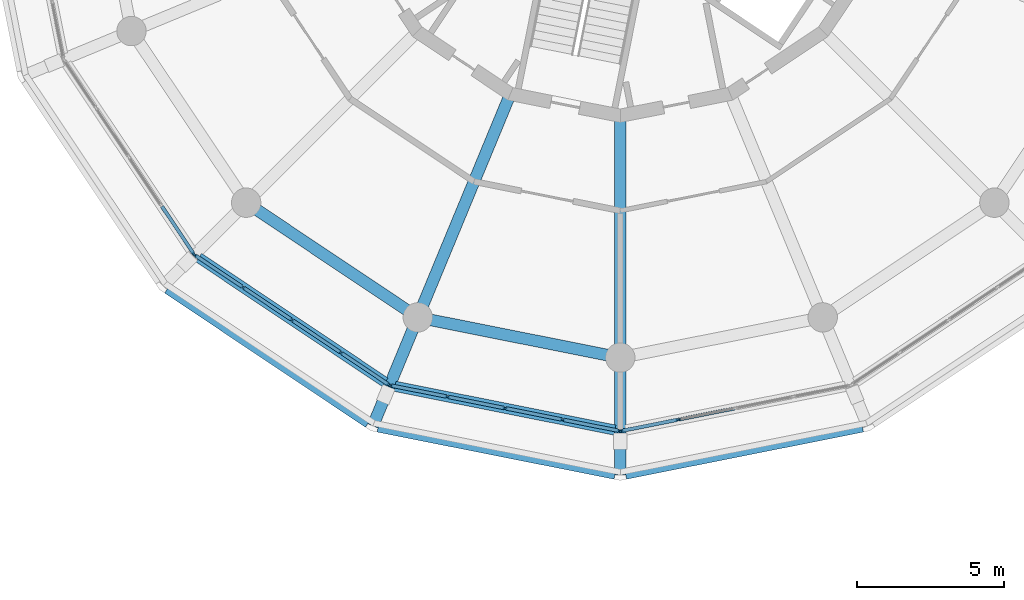
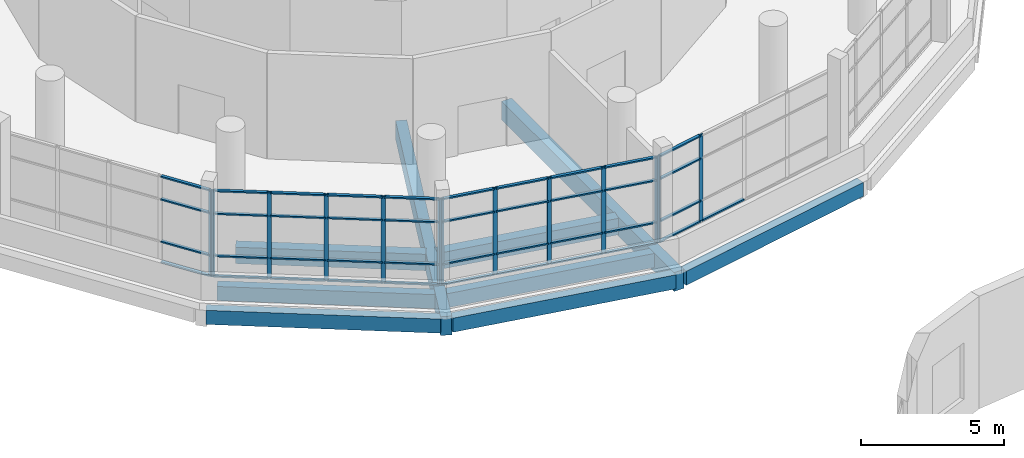
# One storey, part 4 of 40: 54 members, 9 beams, 4 elements without a shape of their own.
"""IFC4 building model written with IfcOpenShell, lengths in metres."""

from ifc_helpers import new_model, si_unit, direction, frame, origin, origin_2d, place, context, subcontext, project, spatial, rectangle, extrude, material, material_profile, profile_set, type_object, element, aggregate, save


model = new_model("IFC4")

# Units and contexts
model_context = context("Model", 3, precision=1e-05, world=origin(), true_north=direction((0.0, 1.0)))
body_context = subcontext(model_context, "Body", "Model", "MODEL_VIEW")
ifc_project = project(units=[si_unit("LENGTHUNIT", "METRE"), si_unit("AREAUNIT", "SQUARE_METRE"), si_unit("VOLUMEUNIT", "CUBIC_METRE"), si_unit("PLANEANGLEUNIT", "RADIAN"), si_unit("MASSUNIT", "GRAM", prefix="KILO")], contexts=[model_context])

# Site, building, storey
site_placement = place(None, origin())
site = spatial("IfcSite", under=ifc_project, at=site_placement, CompositionType="ELEMENT")
building_placement = place(site_placement, origin())
building = spatial("IfcBuilding", under=site, at=building_placement, Name="Ceibo Conservatory and Research Tower", CompositionType="ELEMENT")
storey_placement = place(building_placement, frame((0.0, 0.0, 6.0)))
storey = spatial("IfcBuildingStorey", under=building, at=storey_placement, Name="L01", CompositionType="ELEMENT", Elevation=6.0)

# Curtain wall, member
ifc_material_1 = material(Name="Aluminium and glass", Category="aluminium")
curtain_wall_type = type_object("IfcCurtainWallType", Name="Curtain wall CW1", PredefinedType="NOTDEFINED", material=ifc_material_1)
curtain_wall_1_placement = place(storey_placement, origin())
curtain_wall_1 = element("IfcCurtainWall", 1, at=curtain_wall_1_placement, inside=storey, type_object=curtain_wall_type, Name="CW-01.10", PredefinedType="NOTDEFINED")
ifc_material_2 = material(Name="Aluminium", Category="aluminium")
ifc_material_profile_1 = material_profile(ifc_material_2, rectangle(XDim=0.06005859375, YDim=0.159912109375, at=origin_2d()), Name="Aluminium 60 x 160")
ifc_profile_set_1 = profile_set([ifc_material_profile_1], Name="Aluminium")
member_type_1 = type_object("IfcMemberType", Name="Aluminium mullion 60 x 160", PredefinedType="MULLION", material=ifc_profile_set_1)
member_1_placement = place(storey_placement, frame((33.487548828125, 105.529296875, 0.0), z_axis=(0.0, 0.0, 1.0), x_axis=(0.831469649004, 0.555570178092, 0.0)))
member_1 = element("IfcMember", 2, at=member_1_placement, type_object=member_type_1, Name="CW-01.10 mullion 5", PredefinedType="MULLION", context=body_context, shape_type="SweptSolid", body=[
    extrude(rectangle(XDim=0.06005859375, YDim=0.159912109375, at=origin_2d()), origin(), (0.0, 0.0, 1.0), 3.699951171875),
])

# Curtain wall, members
curtain_wall_2_placement = place(storey_placement, origin())
curtain_wall_2 = element("IfcCurtainWall", 3, at=curtain_wall_2_placement, inside=storey, type_object=curtain_wall_type, Name="CW-01.11", PredefinedType="NOTDEFINED")
member_2_placement = place(storey_placement, frame((33.529296875, 105.487548828125, 0.0), z_axis=(0.0, 0.0, 1.0), x_axis=(0.555570178092, 0.831469649004, 0.0)))
member_2 = element("IfcMember", 4, at=member_2_placement, type_object=member_type_1, Name="CW-01.11 mullion 1", PredefinedType="MULLION", context=body_context, shape_type="SweptSolid", body=[
    extrude(rectangle(XDim=0.06005859375, YDim=0.159912109375, at=origin_2d()), origin(), (0.0, 0.0, 1.0), 3.699951171875),
])
member_3_placement = place(storey_placement, frame((35.1669921875, 104.393310546875, 0.0), z_axis=(0.0, 0.0, 1.0), x_axis=(0.555570178092, 0.831469649004, 0.0)))
member_3 = element("IfcMember", 5, at=member_3_placement, type_object=member_type_1, Name="CW-01.11 mullion 2", PredefinedType="MULLION", context=body_context, shape_type="SweptSolid", body=[
    extrude(rectangle(XDim=0.06005859375, YDim=0.159912109375, at=origin_2d()), origin(), (0.0, 0.0, 1.0), 3.699951171875),
])
member_4_placement = place(storey_placement, frame((36.82958984375, 103.282470703125, 0.0), z_axis=(0.0, 0.0, 1.0), x_axis=(0.555570178092, 0.831469649004, 0.0)))
member_4 = element("IfcMember", 6, at=member_4_placement, type_object=member_type_1, Name="CW-01.11 mullion 3", PredefinedType="MULLION", context=body_context, shape_type="SweptSolid", body=[
    extrude(rectangle(XDim=0.06005859375, YDim=0.159912109375, at=origin_2d()), origin(), (0.0, 0.0, 1.0), 3.699951171875),
])
member_5_placement = place(storey_placement, frame((38.492431640625, 102.17138671875, 0.0), z_axis=(0.0, 0.0, 1.0), x_axis=(0.555570178092, 0.831469649004, 0.0)))
member_5 = element("IfcMember", 7, at=member_5_placement, type_object=member_type_1, Name="CW-01.11 mullion 4", PredefinedType="MULLION", context=body_context, shape_type="SweptSolid", body=[
    extrude(rectangle(XDim=0.06005859375, YDim=0.159912109375, at=origin_2d()), origin(), (0.0, 0.0, 1.0), 3.699951171875),
])
member_6_placement = place(storey_placement, frame((40.130126953125, 101.0771484375, 0.0), z_axis=(0.0, 0.0, 1.0), x_axis=(0.555570178092, 0.831469649004, 0.0)))
member_6 = element("IfcMember", 8, at=member_6_placement, type_object=member_type_1, Name="CW-01.11 mullion 5", PredefinedType="MULLION", context=body_context, shape_type="SweptSolid", body=[
    extrude(rectangle(XDim=0.06005859375, YDim=0.159912109375, at=origin_2d()), origin(), (0.0, 0.0, 1.0), 3.699951171875),
])

curtain_wall_3_placement = place(storey_placement, origin())
curtain_wall_3 = element("IfcCurtainWall", 9, at=curtain_wall_3_placement, inside=storey, type_object=curtain_wall_type, Name="CW-01.12", PredefinedType="NOTDEFINED")
member_7_placement = place(storey_placement, frame((40.184326171875, 101.0546875, 0.0), z_axis=(0.0, 0.0, 1.0), x_axis=(0.195090380799, 0.980785268711, 0.0)))
member_7 = element("IfcMember", 10, at=member_7_placement, type_object=member_type_1, Name="CW-01.12 mullion 1", PredefinedType="MULLION", context=body_context, shape_type="SweptSolid", body=[
    extrude(rectangle(XDim=0.06005859375, YDim=0.159912109375, at=origin_2d()), origin(), (0.0, 0.0, 1.0), 3.699951171875),
])
member_8_placement = place(storey_placement, frame((42.1162109375, 100.67041015625, 0.0), z_axis=(0.0, 0.0, 1.0), x_axis=(0.195090380799, 0.980785268711, 0.0)))
member_8 = element("IfcMember", 11, at=member_8_placement, type_object=member_type_1, Name="CW-01.12 mullion 2", PredefinedType="MULLION", context=body_context, shape_type="SweptSolid", body=[
    extrude(rectangle(XDim=0.06005859375, YDim=0.159912109375, at=origin_2d()), origin(), (0.0, 0.0, 1.0), 3.699951171875),
])
member_9_placement = place(storey_placement, frame((44.077392578125, 100.2802734375, 0.0), z_axis=(0.0, 0.0, 1.0), x_axis=(0.195090380799, 0.980785268711, 0.0)))
member_9 = element("IfcMember", 12, at=member_9_placement, type_object=member_type_1, Name="CW-01.12 mullion 3", PredefinedType="MULLION", context=body_context, shape_type="SweptSolid", body=[
    extrude(rectangle(XDim=0.06005859375, YDim=0.159912109375, at=origin_2d()), origin(), (0.0, 0.0, 1.0), 3.699951171875),
])
member_10_placement = place(storey_placement, frame((46.038818359375, 99.89013671875, 0.0), z_axis=(0.0, 0.0, 1.0), x_axis=(0.195090380799, 0.980785268711, 0.0)))
member_10 = element("IfcMember", 13, at=member_10_placement, type_object=member_type_1, Name="CW-01.12 mullion 4", PredefinedType="MULLION", context=body_context, shape_type="SweptSolid", body=[
    extrude(rectangle(XDim=0.06005859375, YDim=0.159912109375, at=origin_2d()), origin(), (0.0, 0.0, 1.0), 3.699951171875),
])
member_11_placement = place(storey_placement, frame((47.970458984375, 99.505859375, 0.0), z_axis=(0.0, 0.0, 1.0), x_axis=(0.195090380799, 0.980785268711, 0.0)))
member_11 = element("IfcMember", 14, at=member_11_placement, type_object=member_type_1, Name="CW-01.12 mullion 5", PredefinedType="MULLION", context=body_context, shape_type="SweptSolid", body=[
    extrude(rectangle(XDim=0.06005859375, YDim=0.159912109375, at=origin_2d()), origin(), (0.0, 0.0, 1.0), 3.699951171875),
])

curtain_wall_4_placement = place(storey_placement, origin())
curtain_wall_4 = element("IfcCurtainWall", 15, at=curtain_wall_4_placement, inside=storey, type_object=curtain_wall_type, Name="CW-01.13", PredefinedType="NOTDEFINED")
member_12_placement = place(storey_placement, frame((48.029541015625, 99.505859375, 0.0), z_axis=(0.0, 0.0, 1.0), x_axis=(-0.195090380799, 0.980785268711, 0.0)))
member_12 = element("IfcMember", 16, at=member_12_placement, type_object=member_type_1, Name="CW-01.13 mullion 1", PredefinedType="MULLION", context=body_context, shape_type="SweptSolid", body=[
    extrude(rectangle(XDim=0.06005859375, YDim=0.159912109375, at=origin_2d()), origin(), (0.0, 0.0, 1.0), 3.699951171875),
])
member_13_placement = place(storey_placement, frame((49.961181640625, 99.89013671875, 0.0), z_axis=(0.0, 0.0, 1.0), x_axis=(-0.195090380799, 0.980785268711, 0.0)))
member_13 = element("IfcMember", 17, at=member_13_placement, type_object=member_type_1, Name="CW-01.13 mullion 2", PredefinedType="MULLION", context=body_context, shape_type="SweptSolid", body=[
    extrude(rectangle(XDim=0.06005859375, YDim=0.159912109375, at=origin_2d()), origin(), (0.0, 0.0, 1.0), 3.699951171875),
])

# Member
ifc_material_profile_2 = material_profile(ifc_material_2, rectangle(XDim=0.1201171875, YDim=0.06005859375, at=origin_2d()), Name="Aluminium 60 x 120")
ifc_profile_set_2 = profile_set([ifc_material_profile_2], Name="Aluminium")
member_type_2 = type_object("IfcMemberType", Name="Aluminium transom 60 x 120", PredefinedType="USERDEFINED", material=ifc_profile_set_2)
member_14_placement = place(storey_placement, frame((32.409912109375, 107.14208984375, 0.030029296875), z_axis=(0.555584916278, -0.831459801075, 0.0), x_axis=(0.831459801075, 0.555584916278, 0.0)))
member_14 = element("IfcMember", 18, at=member_14_placement, type_object=member_type_2, Name="CW-01.10 transom 4.1", ObjectType="TRANSOM", PredefinedType="USERDEFINED", context=body_context, shape_type="SweptSolid", body=[
    extrude(rectangle(XDim=0.1201171875, YDim=0.06005859375, at=origin_2d()), origin(), (0.0, 0.0, 1.0), 1.90966796875),
])

member_15_placement = place(storey_placement, frame((32.409912109375, 107.14208984375, 0.89990234375), z_axis=(0.555584916278, -0.831459801075, 0.0), x_axis=(0.831459801075, 0.555584916278, 0.0)))
member_15 = element("IfcMember", 19, at=member_15_placement, type_object=member_type_2, Name="CW-01.10 transom 4.2", ObjectType="TRANSOM", PredefinedType="USERDEFINED", context=body_context, shape_type="SweptSolid", body=[
    extrude(rectangle(XDim=0.1201171875, YDim=0.06005859375, at=origin_2d()), origin(), (0.0, 0.0, 1.0), 1.90966796875),
])

member_16_placement = place(storey_placement, frame((32.409912109375, 107.14208984375, 2.699951171875), z_axis=(0.555584916278, -0.831459801075, 0.0), x_axis=(0.831459801075, 0.555584916278, 0.0)))
member_16 = element("IfcMember", 20, at=member_16_placement, type_object=member_type_2, Name="CW-01.10 transom 4.3", ObjectType="TRANSOM", PredefinedType="USERDEFINED", context=body_context, shape_type="SweptSolid", body=[
    extrude(rectangle(XDim=0.1201171875, YDim=0.06005859375, at=origin_2d()), origin(), (0.0, 0.0, 1.0), 1.90966796875),
])

member_17_placement = place(storey_placement, frame((32.409912109375, 107.14208984375, 3.669921875), z_axis=(0.555584916278, -0.831459801075, 0.0), x_axis=(0.831459801075, 0.555584916278, 0.0)))
member_17 = element("IfcMember", 21, at=member_17_placement, type_object=member_type_2, Name="CW-01.10 transom 4.4", ObjectType="TRANSOM", PredefinedType="USERDEFINED", context=body_context, shape_type="SweptSolid", body=[
    extrude(rectangle(XDim=0.1201171875, YDim=0.06005859375, at=origin_2d()), origin(), (0.0, 0.0, 1.0), 1.90966796875),
])

aggregate(curtain_wall_1, [member_1, member_14, member_15, member_16, member_17])

member_18_placement = place(storey_placement, frame((33.55419921875, 105.470947265625, 0.030029296875), z_axis=(0.831459801075, -0.555584916278, 0.0), x_axis=(0.555584916278, 0.831459801075, 0.0)))
member_18 = element("IfcMember", 22, at=member_18_placement, type_object=member_type_2, Name="CW-01.11 transom 1.1", ObjectType="TRANSOM", PredefinedType="USERDEFINED", context=body_context, shape_type="SweptSolid", body=[
    extrude(rectangle(XDim=0.1201171875, YDim=0.06005859375, at=origin_2d()), origin(), (0.0, 0.0, 1.0), 1.90966796875),
])

member_19_placement = place(storey_placement, frame((33.55419921875, 105.470947265625, 0.89990234375), z_axis=(0.831459801075, -0.555584916278, 0.0), x_axis=(0.555584916278, 0.831459801075, 0.0)))
member_19 = element("IfcMember", 23, at=member_19_placement, type_object=member_type_2, Name="CW-01.11 transom 1.2", ObjectType="TRANSOM", PredefinedType="USERDEFINED", context=body_context, shape_type="SweptSolid", body=[
    extrude(rectangle(XDim=0.1201171875, YDim=0.06005859375, at=origin_2d()), origin(), (0.0, 0.0, 1.0), 1.90966796875),
])

member_20_placement = place(storey_placement, frame((33.55419921875, 105.470947265625, 2.699951171875), z_axis=(0.831459801075, -0.555584916278, 0.0), x_axis=(0.555584916278, 0.831459801075, 0.0)))
member_20 = element("IfcMember", 24, at=member_20_placement, type_object=member_type_2, Name="CW-01.11 transom 1.3", ObjectType="TRANSOM", PredefinedType="USERDEFINED", context=body_context, shape_type="SweptSolid", body=[
    extrude(rectangle(XDim=0.1201171875, YDim=0.06005859375, at=origin_2d()), origin(), (0.0, 0.0, 1.0), 1.90966796875),
])

member_21_placement = place(storey_placement, frame((33.55419921875, 105.470947265625, 3.669921875), z_axis=(0.831459801075, -0.555584916278, 0.0), x_axis=(0.555584916278, 0.831459801075, 0.0)))
member_21 = element("IfcMember", 25, at=member_21_placement, type_object=member_type_2, Name="CW-01.11 transom 1.4", ObjectType="TRANSOM", PredefinedType="USERDEFINED", context=body_context, shape_type="SweptSolid", body=[
    extrude(rectangle(XDim=0.1201171875, YDim=0.06005859375, at=origin_2d()), origin(), (0.0, 0.0, 1.0), 1.90966796875),
])

member_22_placement = place(storey_placement, frame((35.19189453125, 104.376708984375, 0.030029296875), z_axis=(0.831468919367, -0.55557127007, 0.0), x_axis=(0.55557127007, 0.831468919367, 0.0)))
member_22 = element("IfcMember", 26, at=member_22_placement, type_object=member_type_2, Name="CW-01.11 transom 2.1", ObjectType="TRANSOM", PredefinedType="USERDEFINED", context=body_context, shape_type="SweptSolid", body=[
    extrude(rectangle(XDim=0.1201171875, YDim=0.06005859375, at=origin_2d()), origin(), (0.0, 0.0, 1.0), 1.939697265625),
])

member_23_placement = place(storey_placement, frame((35.19189453125, 104.376708984375, 0.89990234375), z_axis=(0.831468919367, -0.55557127007, 0.0), x_axis=(0.55557127007, 0.831468919367, 0.0)))
member_23 = element("IfcMember", 27, at=member_23_placement, type_object=member_type_2, Name="CW-01.11 transom 2.2", ObjectType="TRANSOM", PredefinedType="USERDEFINED", context=body_context, shape_type="SweptSolid", body=[
    extrude(rectangle(XDim=0.1201171875, YDim=0.06005859375, at=origin_2d()), origin(), (0.0, 0.0, 1.0), 1.939697265625),
])

member_24_placement = place(storey_placement, frame((35.19189453125, 104.376708984375, 2.699951171875), z_axis=(0.831468919367, -0.55557127007, 0.0), x_axis=(0.55557127007, 0.831468919367, 0.0)))
member_24 = element("IfcMember", 28, at=member_24_placement, type_object=member_type_2, Name="CW-01.11 transom 2.3", ObjectType="TRANSOM", PredefinedType="USERDEFINED", context=body_context, shape_type="SweptSolid", body=[
    extrude(rectangle(XDim=0.1201171875, YDim=0.06005859375, at=origin_2d()), origin(), (0.0, 0.0, 1.0), 1.939697265625),
])

member_25_placement = place(storey_placement, frame((35.19189453125, 104.376708984375, 3.669921875), z_axis=(0.831468919367, -0.55557127007, 0.0), x_axis=(0.55557127007, 0.831468919367, 0.0)))
member_25 = element("IfcMember", 29, at=member_25_placement, type_object=member_type_2, Name="CW-01.11 transom 2.4", ObjectType="TRANSOM", PredefinedType="USERDEFINED", context=body_context, shape_type="SweptSolid", body=[
    extrude(rectangle(XDim=0.1201171875, YDim=0.06005859375, at=origin_2d()), origin(), (0.0, 0.0, 1.0), 1.939697265625),
])

member_26_placement = place(storey_placement, frame((36.8544921875, 103.265625, 0.030029296875), z_axis=(0.831468919367, -0.55557127007, 0.0), x_axis=(0.55557127007, 0.831468919367, 0.0)))
member_26 = element("IfcMember", 30, at=member_26_placement, type_object=member_type_2, Name="CW-01.11 transom 3.1", ObjectType="TRANSOM", PredefinedType="USERDEFINED", context=body_context, shape_type="SweptSolid", body=[
    extrude(rectangle(XDim=0.1201171875, YDim=0.06005859375, at=origin_2d()), origin(), (0.0, 0.0, 1.0), 1.939697265625),
])

member_27_placement = place(storey_placement, frame((36.8544921875, 103.265625, 0.89990234375), z_axis=(0.831468919367, -0.55557127007, 0.0), x_axis=(0.55557127007, 0.831468919367, 0.0)))
member_27 = element("IfcMember", 31, at=member_27_placement, type_object=member_type_2, Name="CW-01.11 transom 3.2", ObjectType="TRANSOM", PredefinedType="USERDEFINED", context=body_context, shape_type="SweptSolid", body=[
    extrude(rectangle(XDim=0.1201171875, YDim=0.06005859375, at=origin_2d()), origin(), (0.0, 0.0, 1.0), 1.939697265625),
])

member_28_placement = place(storey_placement, frame((36.8544921875, 103.265625, 2.699951171875), z_axis=(0.831468919367, -0.55557127007, 0.0), x_axis=(0.55557127007, 0.831468919367, 0.0)))
member_28 = element("IfcMember", 32, at=member_28_placement, type_object=member_type_2, Name="CW-01.11 transom 3.3", ObjectType="TRANSOM", PredefinedType="USERDEFINED", context=body_context, shape_type="SweptSolid", body=[
    extrude(rectangle(XDim=0.1201171875, YDim=0.06005859375, at=origin_2d()), origin(), (0.0, 0.0, 1.0), 1.939697265625),
])

member_29_placement = place(storey_placement, frame((36.8544921875, 103.265625, 3.669921875), z_axis=(0.831468919367, -0.55557127007, 0.0), x_axis=(0.55557127007, 0.831468919367, 0.0)))
member_29 = element("IfcMember", 33, at=member_29_placement, type_object=member_type_2, Name="CW-01.11 transom 3.4", ObjectType="TRANSOM", PredefinedType="USERDEFINED", context=body_context, shape_type="SweptSolid", body=[
    extrude(rectangle(XDim=0.1201171875, YDim=0.06005859375, at=origin_2d()), origin(), (0.0, 0.0, 1.0), 1.939697265625),
])

member_30_placement = place(storey_placement, frame((38.517333984375, 102.15478515625, 0.030029296875), z_axis=(0.831420334371, -0.555643975577, 0.0), x_axis=(0.555643975577, 0.831420334371, 0.0)))
member_30 = element("IfcMember", 34, at=member_30_placement, type_object=member_type_2, Name="CW-01.11 transom 4.1", ObjectType="TRANSOM", PredefinedType="USERDEFINED", context=body_context, shape_type="SweptSolid", body=[
    extrude(rectangle(XDim=0.1201171875, YDim=0.06005859375, at=origin_2d()), origin(), (0.0, 0.0, 1.0), 1.90966796875),
])

member_31_placement = place(storey_placement, frame((38.517333984375, 102.15478515625, 0.89990234375), z_axis=(0.831420334371, -0.555643975577, 0.0), x_axis=(0.555643975577, 0.831420334371, 0.0)))
member_31 = element("IfcMember", 35, at=member_31_placement, type_object=member_type_2, Name="CW-01.11 transom 4.2", ObjectType="TRANSOM", PredefinedType="USERDEFINED", context=body_context, shape_type="SweptSolid", body=[
    extrude(rectangle(XDim=0.1201171875, YDim=0.06005859375, at=origin_2d()), origin(), (0.0, 0.0, 1.0), 1.90966796875),
])

member_32_placement = place(storey_placement, frame((38.517333984375, 102.15478515625, 2.699951171875), z_axis=(0.831420334371, -0.555643975577, 0.0), x_axis=(0.555643975577, 0.831420334371, 0.0)))
member_32 = element("IfcMember", 36, at=member_32_placement, type_object=member_type_2, Name="CW-01.11 transom 4.3", ObjectType="TRANSOM", PredefinedType="USERDEFINED", context=body_context, shape_type="SweptSolid", body=[
    extrude(rectangle(XDim=0.1201171875, YDim=0.06005859375, at=origin_2d()), origin(), (0.0, 0.0, 1.0), 1.90966796875),
])

member_33_placement = place(storey_placement, frame((38.517333984375, 102.15478515625, 3.669921875), z_axis=(0.831420334371, -0.555643975577, 0.0), x_axis=(0.555643975577, 0.831420334371, 0.0)))
member_33 = element("IfcMember", 37, at=member_33_placement, type_object=member_type_2, Name="CW-01.11 transom 4.4", ObjectType="TRANSOM", PredefinedType="USERDEFINED", context=body_context, shape_type="SweptSolid", body=[
    extrude(rectangle(XDim=0.1201171875, YDim=0.06005859375, at=origin_2d()), origin(), (0.0, 0.0, 1.0), 1.90966796875),
])

aggregate(curtain_wall_2, [member_2, member_3, member_4, member_5, member_6, member_18, member_19, member_20, member_21, member_22, member_23, member_24, member_25, member_26, member_27, member_28, member_29, member_30, member_31, member_32, member_33])

member_34_placement = place(storey_placement, frame((40.2138671875, 101.048828125, 0.030029296875), z_axis=(0.980786642434, -0.195083474499, 0.0), x_axis=(0.195083474499, 0.980786642434, 0.0)))
member_34 = element("IfcMember", 38, at=member_34_placement, type_object=member_type_2, Name="CW-01.12 transom 1.1", ObjectType="TRANSOM", PredefinedType="USERDEFINED", context=body_context, shape_type="SweptSolid", body=[
    extrude(rectangle(XDim=0.1201171875, YDim=0.06005859375, at=origin_2d()), origin(), (0.0, 0.0, 1.0), 1.90966796875),
])

member_35_placement = place(storey_placement, frame((40.2138671875, 101.048828125, 0.89990234375), z_axis=(0.980786642434, -0.195083474499, 0.0), x_axis=(0.195083474499, 0.980786642434, 0.0)))
member_35 = element("IfcMember", 39, at=member_35_placement, type_object=member_type_2, Name="CW-01.12 transom 1.2", ObjectType="TRANSOM", PredefinedType="USERDEFINED", context=body_context, shape_type="SweptSolid", body=[
    extrude(rectangle(XDim=0.1201171875, YDim=0.06005859375, at=origin_2d()), origin(), (0.0, 0.0, 1.0), 1.90966796875),
])

member_36_placement = place(storey_placement, frame((40.2138671875, 101.048828125, 2.699951171875), z_axis=(0.980786642434, -0.195083474499, 0.0), x_axis=(0.195083474499, 0.980786642434, 0.0)))
member_36 = element("IfcMember", 40, at=member_36_placement, type_object=member_type_2, Name="CW-01.12 transom 1.3", ObjectType="TRANSOM", PredefinedType="USERDEFINED", context=body_context, shape_type="SweptSolid", body=[
    extrude(rectangle(XDim=0.1201171875, YDim=0.06005859375, at=origin_2d()), origin(), (0.0, 0.0, 1.0), 1.90966796875),
])

member_37_placement = place(storey_placement, frame((40.2138671875, 101.048828125, 3.669921875), z_axis=(0.980786642434, -0.195083474499, 0.0), x_axis=(0.195083474499, 0.980786642434, 0.0)))
member_37 = element("IfcMember", 41, at=member_37_placement, type_object=member_type_2, Name="CW-01.12 transom 1.4", ObjectType="TRANSOM", PredefinedType="USERDEFINED", context=body_context, shape_type="SweptSolid", body=[
    extrude(rectangle(XDim=0.1201171875, YDim=0.06005859375, at=origin_2d()), origin(), (0.0, 0.0, 1.0), 1.90966796875),
])

member_38_placement = place(storey_placement, frame((42.145751953125, 100.66455078125, 0.030029296875), z_axis=(0.980783478053, -0.195099382826, 0.0), x_axis=(0.195099382826, 0.980783478053, 0.0)))
member_38 = element("IfcMember", 42, at=member_38_placement, type_object=member_type_2, Name="CW-01.12 transom 2.1", ObjectType="TRANSOM", PredefinedType="USERDEFINED", context=body_context, shape_type="SweptSolid", body=[
    extrude(rectangle(XDim=0.1201171875, YDim=0.06005859375, at=origin_2d()), origin(), (0.0, 0.0, 1.0), 1.939697265625),
])

member_39_placement = place(storey_placement, frame((42.145751953125, 100.66455078125, 0.89990234375), z_axis=(0.980783478053, -0.195099382826, 0.0), x_axis=(0.195099382826, 0.980783478053, 0.0)))
member_39 = element("IfcMember", 43, at=member_39_placement, type_object=member_type_2, Name="CW-01.12 transom 2.2", ObjectType="TRANSOM", PredefinedType="USERDEFINED", context=body_context, shape_type="SweptSolid", body=[
    extrude(rectangle(XDim=0.1201171875, YDim=0.06005859375, at=origin_2d()), origin(), (0.0, 0.0, 1.0), 1.939697265625),
])

member_40_placement = place(storey_placement, frame((42.145751953125, 100.66455078125, 2.699951171875), z_axis=(0.980783478053, -0.195099382826, 0.0), x_axis=(0.195099382826, 0.980783478053, 0.0)))
member_40 = element("IfcMember", 44, at=member_40_placement, type_object=member_type_2, Name="CW-01.12 transom 2.3", ObjectType="TRANSOM", PredefinedType="USERDEFINED", context=body_context, shape_type="SweptSolid", body=[
    extrude(rectangle(XDim=0.1201171875, YDim=0.06005859375, at=origin_2d()), origin(), (0.0, 0.0, 1.0), 1.939697265625),
])

member_41_placement = place(storey_placement, frame((42.145751953125, 100.66455078125, 3.669921875), z_axis=(0.980783478053, -0.195099382826, 0.0), x_axis=(0.195099382826, 0.980783478053, 0.0)))
member_41 = element("IfcMember", 45, at=member_41_placement, type_object=member_type_2, Name="CW-01.12 transom 2.4", ObjectType="TRANSOM", PredefinedType="USERDEFINED", context=body_context, shape_type="SweptSolid", body=[
    extrude(rectangle(XDim=0.1201171875, YDim=0.06005859375, at=origin_2d()), origin(), (0.0, 0.0, 1.0), 1.939697265625),
])

member_42_placement = place(storey_placement, frame((44.10693359375, 100.2744140625, 0.030029296875), z_axis=(0.980783478053, -0.195099382826, 0.0), x_axis=(0.195099382826, 0.980783478053, 0.0)))
member_42 = element("IfcMember", 46, at=member_42_placement, type_object=member_type_2, Name="CW-01.12 transom 3.1", ObjectType="TRANSOM", PredefinedType="USERDEFINED", context=body_context, shape_type="SweptSolid", body=[
    extrude(rectangle(XDim=0.1201171875, YDim=0.06005859375, at=origin_2d()), origin(), (0.0, 0.0, 1.0), 1.939697265625),
])

member_43_placement = place(storey_placement, frame((44.10693359375, 100.2744140625, 0.89990234375), z_axis=(0.980783478053, -0.195099382826, 0.0), x_axis=(0.195099382826, 0.980783478053, 0.0)))
member_43 = element("IfcMember", 47, at=member_43_placement, type_object=member_type_2, Name="CW-01.12 transom 3.2", ObjectType="TRANSOM", PredefinedType="USERDEFINED", context=body_context, shape_type="SweptSolid", body=[
    extrude(rectangle(XDim=0.1201171875, YDim=0.06005859375, at=origin_2d()), origin(), (0.0, 0.0, 1.0), 1.939697265625),
])

member_44_placement = place(storey_placement, frame((44.10693359375, 100.2744140625, 2.699951171875), z_axis=(0.980783478053, -0.195099382826, 0.0), x_axis=(0.195099382826, 0.980783478053, 0.0)))
member_44 = element("IfcMember", 48, at=member_44_placement, type_object=member_type_2, Name="CW-01.12 transom 3.3", ObjectType="TRANSOM", PredefinedType="USERDEFINED", context=body_context, shape_type="SweptSolid", body=[
    extrude(rectangle(XDim=0.1201171875, YDim=0.06005859375, at=origin_2d()), origin(), (0.0, 0.0, 1.0), 1.939697265625),
])

member_45_placement = place(storey_placement, frame((44.10693359375, 100.2744140625, 3.669921875), z_axis=(0.980783478053, -0.195099382826, 0.0), x_axis=(0.195099382826, 0.980783478053, 0.0)))
member_45 = element("IfcMember", 49, at=member_45_placement, type_object=member_type_2, Name="CW-01.12 transom 3.4", ObjectType="TRANSOM", PredefinedType="USERDEFINED", context=body_context, shape_type="SweptSolid", body=[
    extrude(rectangle(XDim=0.1201171875, YDim=0.06005859375, at=origin_2d()), origin(), (0.0, 0.0, 1.0), 1.939697265625),
])

member_46_placement = place(storey_placement, frame((46.068115234375, 99.88427734375, 0.030029296875), z_axis=(0.980786642434, -0.195083474499, 0.0), x_axis=(0.195083474499, 0.980786642434, 0.0)))
member_46 = element("IfcMember", 50, at=member_46_placement, type_object=member_type_2, Name="CW-01.12 transom 4.1", ObjectType="TRANSOM", PredefinedType="USERDEFINED", context=body_context, shape_type="SweptSolid", body=[
    extrude(rectangle(XDim=0.1201171875, YDim=0.06005859375, at=origin_2d()), origin(), (0.0, 0.0, 1.0), 1.90966796875),
])

member_47_placement = place(storey_placement, frame((46.068115234375, 99.88427734375, 0.89990234375), z_axis=(0.980786642434, -0.195083474499, 0.0), x_axis=(0.195083474499, 0.980786642434, 0.0)))
member_47 = element("IfcMember", 51, at=member_47_placement, type_object=member_type_2, Name="CW-01.12 transom 4.2", ObjectType="TRANSOM", PredefinedType="USERDEFINED", context=body_context, shape_type="SweptSolid", body=[
    extrude(rectangle(XDim=0.1201171875, YDim=0.06005859375, at=origin_2d()), origin(), (0.0, 0.0, 1.0), 1.90966796875),
])

member_48_placement = place(storey_placement, frame((46.068115234375, 99.88427734375, 2.699951171875), z_axis=(0.980786642434, -0.195083474499, 0.0), x_axis=(0.195083474499, 0.980786642434, 0.0)))
member_48 = element("IfcMember", 52, at=member_48_placement, type_object=member_type_2, Name="CW-01.12 transom 4.3", ObjectType="TRANSOM", PredefinedType="USERDEFINED", context=body_context, shape_type="SweptSolid", body=[
    extrude(rectangle(XDim=0.1201171875, YDim=0.06005859375, at=origin_2d()), origin(), (0.0, 0.0, 1.0), 1.90966796875),
])

member_49_placement = place(storey_placement, frame((46.068115234375, 99.88427734375, 3.669921875), z_axis=(0.980786642434, -0.195083474499, 0.0), x_axis=(0.195083474499, 0.980786642434, 0.0)))
member_49 = element("IfcMember", 53, at=member_49_placement, type_object=member_type_2, Name="CW-01.12 transom 4.4", ObjectType="TRANSOM", PredefinedType="USERDEFINED", context=body_context, shape_type="SweptSolid", body=[
    extrude(rectangle(XDim=0.1201171875, YDim=0.06005859375, at=origin_2d()), origin(), (0.0, 0.0, 1.0), 1.90966796875),
])

aggregate(curtain_wall_3, [member_7, member_8, member_9, member_10, member_11, member_34, member_35, member_36, member_37, member_38, member_39, member_40, member_41, member_42, member_43, member_44, member_45, member_46, member_47, member_48, member_49])

member_50_placement = place(storey_placement, frame((48.058837890625, 99.51171875, 0.030029296875), z_axis=(0.980786642434, 0.195083474499, 0.0), x_axis=(-0.195083474499, 0.980786642434, 0.0)))
member_50 = element("IfcMember", 54, at=member_50_placement, type_object=member_type_2, Name="CW-01.13 transom 1.1", ObjectType="TRANSOM", PredefinedType="USERDEFINED", context=body_context, shape_type="SweptSolid", body=[
    extrude(rectangle(XDim=0.1201171875, YDim=0.06005859375, at=origin_2d()), origin(), (0.0, 0.0, 1.0), 1.90966796875),
])

member_51_placement = place(storey_placement, frame((48.058837890625, 99.51171875, 0.89990234375), z_axis=(0.980786642434, 0.195083474499, 0.0), x_axis=(-0.195083474499, 0.980786642434, 0.0)))
member_51 = element("IfcMember", 55, at=member_51_placement, type_object=member_type_2, Name="CW-01.13 transom 1.2", ObjectType="TRANSOM", PredefinedType="USERDEFINED", context=body_context, shape_type="SweptSolid", body=[
    extrude(rectangle(XDim=0.1201171875, YDim=0.06005859375, at=origin_2d()), origin(), (0.0, 0.0, 1.0), 1.90966796875),
])

member_52_placement = place(storey_placement, frame((48.058837890625, 99.51171875, 2.699951171875), z_axis=(0.980786642434, 0.195083474499, 0.0), x_axis=(-0.195083474499, 0.980786642434, 0.0)))
member_52 = element("IfcMember", 56, at=member_52_placement, type_object=member_type_2, Name="CW-01.13 transom 1.3", ObjectType="TRANSOM", PredefinedType="USERDEFINED", context=body_context, shape_type="SweptSolid", body=[
    extrude(rectangle(XDim=0.1201171875, YDim=0.06005859375, at=origin_2d()), origin(), (0.0, 0.0, 1.0), 1.90966796875),
])

member_53_placement = place(storey_placement, frame((48.058837890625, 99.51171875, 3.669921875), z_axis=(0.980786642434, 0.195083474499, 0.0), x_axis=(-0.195083474499, 0.980786642434, 0.0)))
member_53 = element("IfcMember", 57, at=member_53_placement, type_object=member_type_2, Name="CW-01.13 transom 1.4", ObjectType="TRANSOM", PredefinedType="USERDEFINED", context=body_context, shape_type="SweptSolid", body=[
    extrude(rectangle(XDim=0.1201171875, YDim=0.06005859375, at=origin_2d()), origin(), (0.0, 0.0, 1.0), 1.90966796875),
])

member_54_placement = place(storey_placement, frame((49.99072265625, 99.89599609375, 0.030029296875), z_axis=(0.980783478053, 0.195099382826, 0.0), x_axis=(-0.195099382826, 0.980783478053, 0.0)))
member_54 = element("IfcMember", 58, at=member_54_placement, type_object=member_type_2, Name="CW-01.13 transom 2.1", ObjectType="TRANSOM", PredefinedType="USERDEFINED", context=body_context, shape_type="SweptSolid", body=[
    extrude(rectangle(XDim=0.1201171875, YDim=0.06005859375, at=origin_2d()), origin(), (0.0, 0.0, 1.0), 1.939697265625),
])

aggregate(curtain_wall_4, [member_12, member_13, member_50, member_51, member_52, member_53, member_54])

# Beams
ifc_material_3 = material(Name="Concrete C35/45", Category="concrete")
ifc_material_profile_3 = material_profile(ifc_material_3, rectangle(XDim=0.35009765625, YDim=0.60009765625, at=origin_2d()), Name="RC 350x600")
ifc_profile_set_3 = profile_set([ifc_material_profile_3], Name="Concrete C35/45")
beam_type_1 = type_object("IfcBeamType", Name="RC beam 350x600 C35", PredefinedType="BEAM", material=ifc_profile_set_3)
for number, where, z_axis, x_axis, name in (
    (59, (33.6572265625, 105.402099609375, -0.60009765625), (0.831464091312, -0.555578495676, 0.0), (0.555578495676, 0.831464091312, 0.0), "Edge beam 11 L01"),
    (60, (40.33544921875, 101.024658203125, -0.60009765625), (0.980783190489, -0.195100828433, 0.0), (0.195100828433, 0.980783190489, 0.0), "Edge beam 12 L01"),
):
    element("IfcBeam", number, at=place(storey_placement, frame(where, z_axis=z_axis, x_axis=x_axis)), inside=storey, type_object=beam_type_1, Name=name, PredefinedType="BEAM", context=body_context, shape_type="SweptSolid", body=[
        extrude(rectangle(XDim=0.35009765625, YDim=0.60009765625, at=origin_2d()), origin(), (0.0, 0.0, 1.0), 7.630859375),
    ])
beam_1_placement = place(storey_placement, frame((32.5966796875, 104.341552734375, -0.60009765625), z_axis=(0.831460092327, -0.555584480406, 0.0), x_axis=(0.555584480406, 0.831460092327, 0.0)))
element("IfcBeam", 61, at=beam_1_placement, inside=storey, type_object=beam_type_1, Name="Edge beam 11 L01", PredefinedType="BEAM", context=body_context, shape_type="SweptSolid", body=[
    extrude(rectangle(XDim=0.35009765625, YDim=0.60009765625, at=origin_2d()), origin(), (0.0, 0.0, 1.0), 8.216064453125),
])
for number, where, z_axis, x_axis, name in (
    (62, (39.76123046875, 99.638671875, -0.60009765625), (0.980788126016, -0.195076015612, 0.0), (0.195076015612, 0.980788126016, 0.0), "Edge beam 12 L01"),
    (63, (48.180419921875, 98.035888671875, -0.60009765625), (0.980788126016, 0.195076015612, 0.0), (-0.195076015612, 0.980788126016, 0.0), "Edge beam 13 L01"),
):
    element("IfcBeam", number, at=place(storey_placement, frame(where, z_axis=z_axis, x_axis=x_axis)), inside=storey, type_object=beam_type_1, Name=name, PredefinedType="BEAM", context=body_context, shape_type="SweptSolid", body=[
        extrude(rectangle(XDim=0.35009765625, YDim=0.60009765625, at=origin_2d()), origin(), (0.0, 0.0, 1.0), 8.21630859375),
    ])
ifc_material_profile_4 = material_profile(ifc_material_3, rectangle(XDim=0.39990234375, YDim=0.699951171875, at=origin_2d()), Name="RC 400x700")
ifc_profile_set_4 = profile_set([ifc_material_profile_4], Name="Concrete C35/45")
beam_type_2 = type_object("IfcBeamType", Name="RC beam 400x700 C35", PredefinedType="BEAM", material=ifc_profile_set_4)
beam_2_placement = place(storey_placement, frame((35.425048828125, 107.169921875, -0.64990234375), z_axis=(0.83146854485, -0.555571830572, 0.0), x_axis=(0.555571830572, 0.83146854485, 0.0)))
element("IfcBeam", 64, at=beam_2_placement, inside=storey, type_object=beam_type_2, Name="Ring beam 11 L01", PredefinedType="BEAM", context=body_context, shape_type="SweptSolid", body=[
    extrude(rectangle(XDim=0.39990234375, YDim=0.699951171875, at=origin_2d()), origin(), (0.0, 0.0, 1.0), 6.6552734375),
])
beam_3_placement = place(storey_placement, frame((41.2919921875, 103.334228515625, -0.64990234375), z_axis=(0.980787526167, -0.19507903146, 0.0), x_axis=(0.19507903146, 0.980787526167, 0.0)))
element("IfcBeam", 65, at=beam_3_placement, inside=storey, type_object=beam_type_2, Name="Ring beam 12 L01", PredefinedType="BEAM", context=body_context, shape_type="SweptSolid", body=[
    extrude(rectangle(XDim=0.39990234375, YDim=0.699951171875, at=origin_2d()), origin(), (0.0, 0.0, 1.0), 6.655517578125),
])
ifc_material_profile_5 = material_profile(ifc_material_3, rectangle(XDim=0.39990234375, YDim=0.800048828125, at=origin_2d()), Name="RC 400x800")
ifc_profile_set_5 = profile_set([ifc_material_profile_5], Name="Concrete C35/45")
beam_type_3 = type_object("IfcBeamType", Name="RC beam 400x800 C35", PredefinedType="BEAM", material=ifc_profile_set_5)
for number, where, z_axis, x_axis, name in (
    (66, (44.1923828125, 110.807373046875, -0.699951171875), (-0.382696089639, -0.923874289595, 0.0), (0.923874289595, -0.382696089639, 0.0), "Radial beam R12 L01"),
    (67, (48.0, 110.050048828125, -0.699951171875), (0.0, -1.0, 0.0), (1.0, 0.0, 0.0), "Radial beam R13 L01"),
):
    element("IfcBeam", number, at=place(storey_placement, frame(where, z_axis=z_axis, x_axis=x_axis)), inside=storey, type_object=beam_type_3, Name=name, PredefinedType="BEAM", context=body_context, shape_type="SweptSolid", body=[
        extrude(rectangle(XDim=0.39990234375, YDim=0.800048828125, at=origin_2d()), origin(), (0.0, 0.0, 1.0), 12.045166015625),
    ])

save(model, "model.ifc")
